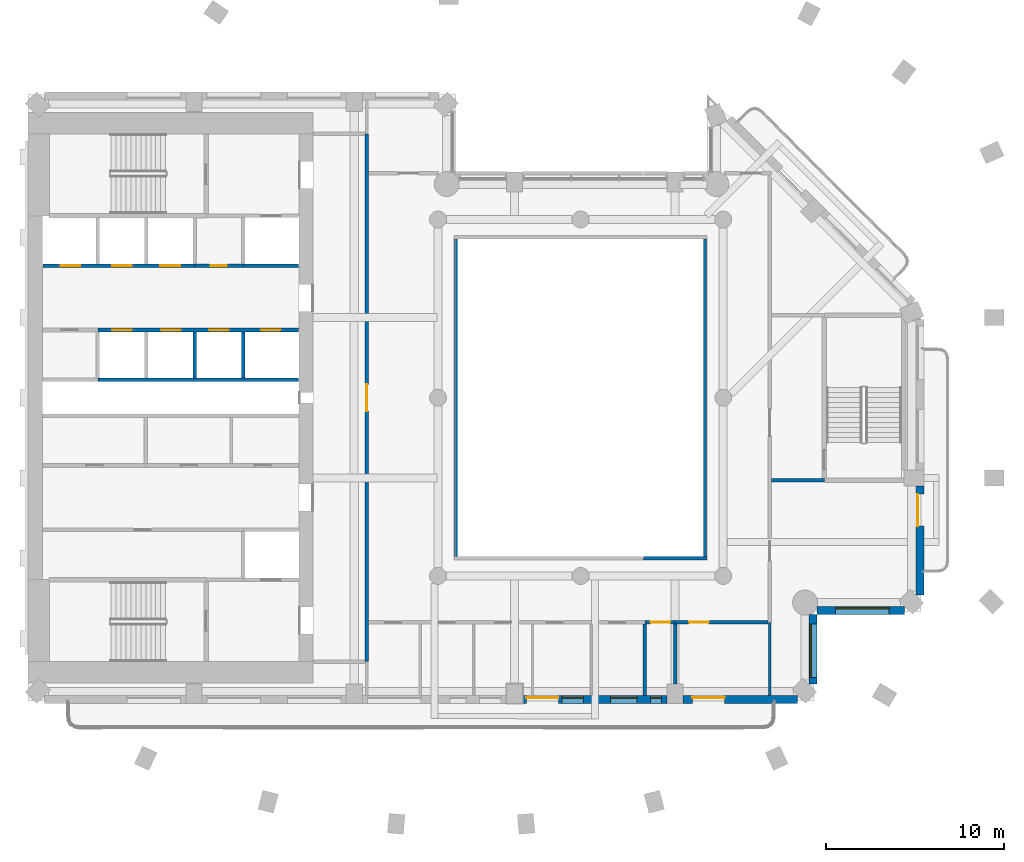
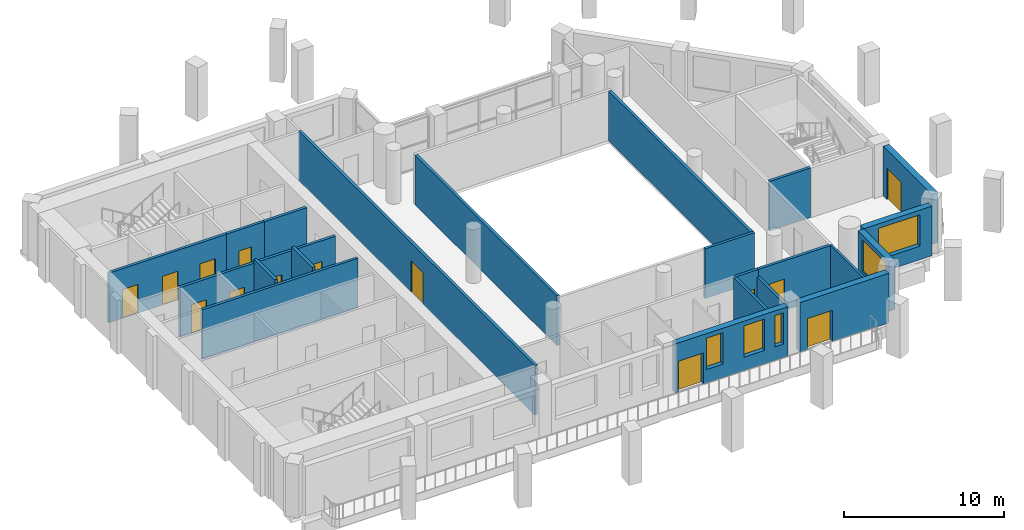
# One storey, part 5 of 14: 22 walls, 14 doors, 5 windows, 19 openings.
"""IFC4 building model written with IfcOpenShell, lengths in metres."""

from ifc_helpers import new_model, si_unit, direction, frame, frame_2d, origin, place, context, subcontext, project, spatial, rectangle, extrude, material, layer, layer_set, type_object, element, fill, save


model = new_model("IFC4")

# Units and contexts
model_context = context("Model", 3, precision=1e-05, world=origin(), true_north=direction((0.0, 1.0)))
body_context = subcontext(model_context, "Body", "Model", "MODEL_VIEW")
ifc_project = project(units=[si_unit("LENGTHUNIT", "METRE"), si_unit("AREAUNIT", "SQUARE_METRE"), si_unit("VOLUMEUNIT", "CUBIC_METRE"), si_unit("PLANEANGLEUNIT", "RADIAN"), si_unit("MASSUNIT", "GRAM", prefix="KILO")], contexts=[model_context])

# Site, building, storey
site_placement = place(None, origin())
site = spatial("IfcSite", under=ifc_project, at=site_placement, CompositionType="ELEMENT")
building_placement = place(site_placement, origin())
building = spatial("IfcBuilding", under=site, at=building_placement, Name="Cypress Arch Tower", CompositionType="ELEMENT")
storey_placement = place(building_placement, frame((0.0, 0.0, 201.5)))
storey = spatial("IfcBuildingStorey", under=building, at=storey_placement, Name="L44", CompositionType="ELEMENT", Elevation=201.5)

# Wall, openings, door, windows
ifc_material_1 = material(Name="Brick (red buff blend)", Category="masonry")
ifc_layer_1 = layer(ifc_material_1, 0.449951171875)
ifc_layer_set_1 = layer_set([ifc_layer_1], Name="Brick pier and spandrel wall BW450")
wall_type_1 = type_object("IfcWallType", Name="Brick pier and spandrel wall BW450", PredefinedType="SOLIDWALL", material=ifc_layer_set_1)
wall_1_placement = place(storey_placement, frame((-2.25, -16.925048828125, 0.0), z_axis=(0.0, 0.0, 1.0), x_axis=(1.0, 0.0, 0.0)))
wall_1 = element("IfcWall", 1, at=wall_1_placement, inside=storey, type_object=wall_type_1, Name="Brick wall L44 B01.3", PredefinedType="SOLIDWALL", context=body_context, shape_type="SweptSolid", body=[
    extrude(rectangle(XDim=8.10009765625, YDim=0.449951171875, at=frame_2d((4.050048828125, 0.0))), origin(), (0.0, 0.0, 1.0), 3.800048828125),
])
opening_1_placement = place(wall_1_placement, frame((0.199951171875, 0.0, 0.0)))
opening_1 = element("IfcOpeningElement", 2, at=opening_1_placement, cuts=wall_1, Name="Opening D-L44-B01.3.1", PredefinedType="OPENING", context=body_context, shape_type="SweptSolid", body=[
    extrude(rectangle(XDim=1.800048828125, YDim=2.39990234375, at=frame_2d((0.89990234375, 1.199951171875))), frame((0.0, 0.23486328125, 0.0), z_axis=(0.0, -1.0, 0.0), x_axis=(1.0, 0.0, 0.0)), (0.0, 0.0, 1.0), 0.469970703125),
])
opening_2_placement = place(wall_1_placement, frame((2.199951171875, 0.0, 1.050048828125)))
opening_2 = element("IfcOpeningElement", 3, at=opening_2_placement, cuts=wall_1, Name="Opening W120OD", PredefinedType="OPENING", context=body_context, shape_type="SweptSolid", body=[
    extrude(rectangle(XDim=1.199951171875, YDim=2.39990234375, at=frame_2d((0.60009765625, 1.199951171875))), frame((0.0, 0.23486328125, 0.0), z_axis=(0.0, -1.0, 0.0), x_axis=(1.0, 0.0, 0.0)), (0.0, 0.0, 1.0), 0.469970703125),
])
opening_3_placement = place(wall_1_placement, frame((4.925537109375, 0.0, 1.050048828125)))
opening_3 = element("IfcOpeningElement", 4, at=opening_3_placement, cuts=wall_1, Name="Opening W150OD", PredefinedType="OPENING", context=body_context, shape_type="SweptSolid", body=[
    extrude(rectangle(XDim=1.5, YDim=2.39990234375, at=frame_2d((0.75, 1.199951171875))), frame((0.0, 0.23486328125, 0.0), z_axis=(0.0, -1.0, 0.0), x_axis=(1.0, 0.0, 0.0)), (0.0, 0.0, 1.0), 0.469970703125),
])
opening_4_placement = place(wall_1_placement, frame((7.175537109375, 0.0, 1.050048828125)))
opening_4 = element("IfcOpeningElement", 5, at=opening_4_placement, cuts=wall_1, Name="Opening W060OD", PredefinedType="OPENING", context=body_context, shape_type="SweptSolid", body=[
    extrude(rectangle(XDim=0.60009765625, YDim=2.39990234375, at=frame_2d((0.300048828125, 1.199951171875))), frame((0.0, 0.23486328125, 0.0), z_axis=(0.0, -1.0, 0.0), x_axis=(1.0, 0.0, 0.0)), (0.0, 0.0, 1.0), 0.469970703125),
])
ifc_material_2 = material(Name="Anodised aluminium, bronze finish, laminated low-emissivity double glazing, large-missile impact rated", Category="aluminium")
door_type_1 = type_object("IfcDoorType", Name="Balcony sliding door 1800x2400", OperationType="SLIDING_TO_LEFT", PredefinedType="DOOR", material=ifc_material_2)
door_1_placement = place(opening_1_placement, origin())
door_1 = element("IfcDoor", 6, at=door_1_placement, inside=storey, type_object=door_type_1, Name="Balcony door L44 B01.3.1", OperationType="SLIDING_TO_LEFT", OverallHeight=2.39990234375, OverallWidth=1.800048828125, PredefinedType="DOOR", context=body_context, shape_type="SweptSolid", body=[
    extrude(rectangle(XDim=1.800048828125, YDim=2.39990234375, at=frame_2d((0.89990234375, 1.199951171875))), frame((0.0, 0.1298828125, 0.0), z_axis=(0.0, -1.0, 0.0), x_axis=(1.0, 0.0, 0.0)), (0.0, 0.0, 1.0), 0.050048828125),
])
fill(opening_1, door_1)
ifc_material_3 = material(Name="Anodised aluminium, bronze finish, laminated low-emissivity double glazing, large-missile impact rated", Category="aluminium")
window_type_1 = type_object("IfcWindowType", Name="Window Office 1200x2400 debris-rated", PartitioningType="SINGLE_PANEL", PredefinedType="WINDOW", material=ifc_material_3)
window_1_placement = place(opening_2_placement, origin())
window_1 = element("IfcWindow", 7, at=window_1_placement, inside=storey, type_object=window_type_1, Name="Window L44 B01.3.1", OverallHeight=2.39990234375, OverallWidth=1.199951171875, PartitioningType="SINGLE_PANEL", PredefinedType="WINDOW", context=body_context, shape_type="SweptSolid", body=[
    extrude(rectangle(XDim=1.199951171875, YDim=2.39990234375, at=frame_2d((0.60009765625, 1.199951171875))), frame((0.0, 0.135009765625, 0.0), z_axis=(0.0, -1.0, 0.0), x_axis=(1.0, 0.0, 0.0)), (0.0, 0.0, 1.0), 0.06005859375),
])
fill(opening_2, window_1)
ifc_material_4 = material(Name="Anodised aluminium, bronze finish, laminated low-emissivity double glazing, large-missile impact rated", Category="aluminium")
window_type_2 = type_object("IfcWindowType", Name="Window Office 1500x2400 debris-rated", PartitioningType="SINGLE_PANEL", PredefinedType="WINDOW", material=ifc_material_4)
window_2_placement = place(opening_3_placement, origin())
window_2 = element("IfcWindow", 8, at=window_2_placement, inside=storey, type_object=window_type_2, Name="Window L44 B01.3.2", OverallHeight=2.39990234375, OverallWidth=1.5, PartitioningType="SINGLE_PANEL", PredefinedType="WINDOW", context=body_context, shape_type="SweptSolid", body=[
    extrude(rectangle(XDim=1.5, YDim=2.39990234375, at=frame_2d((0.75, 1.199951171875))), frame((0.0, 0.135009765625, 0.0), z_axis=(0.0, -1.0, 0.0), x_axis=(1.0, 0.0, 0.0)), (0.0, 0.0, 1.0), 0.06005859375),
])
fill(opening_3, window_2)
ifc_material_5 = material(Name="Anodised aluminium, bronze finish, laminated low-emissivity double glazing, large-missile impact rated", Category="aluminium")
window_type_3 = type_object("IfcWindowType", Name="Window Office 600x2400 debris-rated", PartitioningType="SINGLE_PANEL", PredefinedType="WINDOW", material=ifc_material_5)
window_3_placement = place(opening_4_placement, origin())
window_3 = element("IfcWindow", 9, at=window_3_placement, inside=storey, type_object=window_type_3, Name="Window L44 B01.3.2b", OverallHeight=2.39990234375, OverallWidth=0.60009765625, PartitioningType="SINGLE_PANEL", PredefinedType="WINDOW", context=body_context, shape_type="SweptSolid", body=[
    extrude(rectangle(XDim=0.60009765625, YDim=2.39990234375, at=frame_2d((0.300048828125, 1.199951171875))), frame((0.0, 0.135009765625, 0.0), z_axis=(0.0, -1.0, 0.0), x_axis=(1.0, 0.0, 0.0)), (0.0, 0.0, 1.0), 0.06005859375),
])
fill(opening_4, window_3)

# Wall, opening, door
wall_2_placement = place(storey_placement, frame((6.75, -16.925048828125, 0.0), z_axis=(0.0, 0.0, 1.0), x_axis=(1.0, 0.0, 0.0)))
wall_2 = element("IfcWall", 10, at=wall_2_placement, inside=storey, type_object=wall_type_1, Name="Brick wall L44 B01.4", PredefinedType="SOLIDWALL", context=body_context, shape_type="SweptSolid", body=[
    extrude(rectangle(XDim=6.41357421875, YDim=0.449951171875, at=frame_2d((3.206787109375, 0.0))), origin(), (0.0, 0.0, 1.0), 3.800048828125),
])
opening_5_placement = place(wall_2_placement, frame((0.52490234375, 0.0, 0.0)))
opening_5 = element("IfcOpeningElement", 11, at=opening_5_placement, cuts=wall_2, Name="Opening D-L44-B01.4.1", PredefinedType="OPENING", context=body_context, shape_type="SweptSolid", body=[
    extrude(rectangle(XDim=1.800048828125, YDim=2.39990234375, at=frame_2d((0.89990234375, 1.199951171875))), frame((0.0, 0.23486328125, 0.0), z_axis=(0.0, -1.0, 0.0), x_axis=(1.0, 0.0, 0.0)), (0.0, 0.0, 1.0), 0.469970703125),
])
door_2_placement = place(opening_5_placement, origin())
door_2 = element("IfcDoor", 12, at=door_2_placement, inside=storey, type_object=door_type_1, Name="Balcony door L44 B01.4.1", OperationType="SLIDING_TO_LEFT", OverallHeight=2.39990234375, OverallWidth=1.800048828125, PredefinedType="DOOR", context=body_context, shape_type="SweptSolid", body=[
    extrude(rectangle(XDim=1.800048828125, YDim=2.39990234375, at=frame_2d((0.89990234375, 1.199951171875))), frame((0.0, 0.1298828125, 0.0), z_axis=(0.0, -1.0, 0.0), x_axis=(1.0, 0.0, 0.0)), (0.0, 0.0, 1.0), 0.050048828125),
])
fill(opening_5, door_2)

# Wall, opening, window
wall_3_placement = place(storey_placement, frame((14.02490234375, -16.063720703125, 0.0), z_axis=(0.0, 0.0, 1.0), x_axis=(0.0, 1.0, 0.0)))
wall_3 = element("IfcWall", 13, at=wall_3_placement, inside=storey, type_object=wall_type_1, Name="Brick wall L44 B02.0", PredefinedType="SOLIDWALL", context=body_context, shape_type="SweptSolid", body=[
    extrude(rectangle(XDim=3.9091796875, YDim=0.449951171875, at=frame_2d((1.95458984375, 0.0))), origin(), (0.0, 0.0, 1.0), 3.800048828125),
])
opening_6_placement = place(wall_3_placement, frame((0.363525390625, 0.0, 1.050048828125)))
opening_6 = element("IfcOpeningElement", 14, at=opening_6_placement, cuts=wall_3, Name="Opening W300O", PredefinedType="OPENING", context=body_context, shape_type="SweptSolid", body=[
    extrude(rectangle(XDim=3.0, YDim=2.39990234375, at=frame_2d((1.5, 1.199951171875))), frame((0.0, 0.23486328125, 0.0), z_axis=(0.0, -1.0, 0.0), x_axis=(1.0, 0.0, 0.0)), (0.0, 0.0, 1.0), 0.469970703125),
])
ifc_material_6 = material(Name="Anodised aluminium, bronze finish, clear low-emissivity double glazing", Category="aluminium")
window_type_4 = type_object("IfcWindowType", Name="Window Office 3000x2400", PartitioningType="SINGLE_PANEL", PredefinedType="WINDOW", material=ifc_material_6)
window_4_placement = place(opening_6_placement, origin())
window_4 = element("IfcWindow", 15, at=window_4_placement, inside=storey, type_object=window_type_4, Name="Window L44 B02.0.1", OverallHeight=2.39990234375, OverallWidth=3.0, PartitioningType="SINGLE_PANEL", PredefinedType="WINDOW", context=body_context, shape_type="SweptSolid", body=[
    extrude(rectangle(XDim=3.0, YDim=2.39990234375, at=frame_2d((1.5, 1.199951171875))), frame((0.0, 0.135009765625, 0.0), z_axis=(0.0, -1.0, 0.0), x_axis=(1.0, 0.0, 0.0)), (0.0, 0.0, 1.0), 0.06005859375),
])
fill(opening_6, window_4)

wall_4_placement = place(storey_placement, frame((14.254638671875, -11.925048828125, 0.0), z_axis=(0.0, 0.0, 1.0), x_axis=(1.0, 0.0, 0.0)))
wall_4 = element("IfcWall", 16, at=wall_4_placement, inside=storey, type_object=wall_type_1, Name="Brick wall L44 B03.0", PredefinedType="SOLIDWALL", context=body_context, shape_type="SweptSolid", body=[
    extrude(rectangle(XDim=4.908935546875, YDim=0.449951171875, at=frame_2d((2.45458984375, 0.0))), origin(), (0.0, 0.0, 1.0), 3.800048828125),
])
opening_7_placement = place(wall_4_placement, frame((1.04541015625, 0.0, 1.050048828125)))
opening_7 = element("IfcOpeningElement", 17, at=opening_7_placement, cuts=wall_4, Name="Opening W300O", PredefinedType="OPENING", context=body_context, shape_type="SweptSolid", body=[
    extrude(rectangle(XDim=3.0, YDim=2.39990234375, at=frame_2d((1.5, 1.199951171875))), frame((0.0, 0.23486328125, 0.0), z_axis=(0.0, -1.0, 0.0), x_axis=(1.0, 0.0, 0.0)), (0.0, 0.0, 1.0), 0.469970703125),
])
window_5_placement = place(opening_7_placement, origin())
window_5 = element("IfcWindow", 18, at=window_5_placement, inside=storey, type_object=window_type_4, Name="Window L44 B03.0.1", OverallHeight=2.39990234375, OverallWidth=3.0, PartitioningType="SINGLE_PANEL", PredefinedType="WINDOW", context=body_context, shape_type="SweptSolid", body=[
    extrude(rectangle(XDim=3.0, YDim=2.39990234375, at=frame_2d((1.5, 1.199951171875))), frame((0.0, 0.135009765625, 0.0), z_axis=(0.0, -1.0, 0.0), x_axis=(1.0, 0.0, 0.0)), (0.0, 0.0, 1.0), 0.06005859375),
])
fill(opening_7, window_5)

# Wall, opening, door
wall_5_placement = place(storey_placement, frame((20.02490234375, -11.063720703125, 0.0), z_axis=(0.0, 0.0, 1.0), x_axis=(0.0, 1.0, 0.0)))
wall_5 = element("IfcWall", 19, at=wall_5_placement, inside=storey, type_object=wall_type_1, Name="Brick wall L44 B04.0", PredefinedType="SOLIDWALL", context=body_context, shape_type="SweptSolid", body=[
    extrude(rectangle(XDim=6.11376953125, YDim=0.449951171875, at=frame_2d((3.056884765625, 0.0))), origin(), (0.0, 0.0, 1.0), 3.800048828125),
])
opening_8_placement = place(wall_5_placement, frame((3.863525390625, 0.0, 0.0)))
opening_8 = element("IfcOpeningElement", 20, at=opening_8_placement, cuts=wall_5, Name="Opening D-L44-B04.0.2", PredefinedType="OPENING", context=body_context, shape_type="SweptSolid", body=[
    extrude(rectangle(XDim=1.800048828125, YDim=2.39990234375, at=frame_2d((0.89990234375, 1.199951171875))), frame((0.0, 0.23486328125, 0.0), z_axis=(0.0, -1.0, 0.0), x_axis=(1.0, 0.0, 0.0)), (0.0, 0.0, 1.0), 0.469970703125),
])
door_3_placement = place(opening_8_placement, origin())
door_3 = element("IfcDoor", 21, at=door_3_placement, inside=storey, type_object=door_type_1, Name="Balcony door L44 B04.0.2", OperationType="SLIDING_TO_LEFT", OverallHeight=2.39990234375, OverallWidth=1.800048828125, PredefinedType="DOOR", context=body_context, shape_type="SweptSolid", body=[
    extrude(rectangle(XDim=1.800048828125, YDim=2.39990234375, at=frame_2d((0.89990234375, 1.199951171875))), frame((0.0, 0.1298828125, 0.0), z_axis=(0.0, -1.0, 0.0), x_axis=(1.0, 0.0, 0.0)), (0.0, 0.0, 1.0), 0.050048828125),
])
fill(opening_8, door_3)

ifc_material_7 = material(Name="Concrete blockwork, plastered, rated", Category="masonry")
ifc_layer_2 = layer(ifc_material_7, 0.199951171875)
ifc_layer_set_2 = layer_set([ifc_layer_2], Name="Corridor wall FW200")
wall_type_2 = type_object("IfcWallType", Name="Corridor wall FW200", PredefinedType="PARTITIONING", material=ifc_layer_set_2)
wall_6_placement = place(storey_placement, frame((-20.639892578125, 7.39990234375, 0.0), z_axis=(0.0, 0.0, 1.0), x_axis=(1.0, 0.0, 0.0)))
wall_6 = element("IfcWall", 22, at=wall_6_placement, inside=storey, type_object=wall_type_2, Name="Corridor wall", PredefinedType="PARTITIONING", context=body_context, shape_type="SweptSolid", body=[
    extrude(rectangle(XDim=2.719970703125, YDim=0.199951171875, at=frame_2d((1.35986328125, 0.0))), origin(), (0.0, 0.0, 1.0), 3.800048828125),
])
opening_9_placement = place(wall_6_placement, frame((0.89990234375, 0.0, 0.0)))
opening_9 = element("IfcOpeningElement", 23, at=opening_9_placement, cuts=wall_6, Name="Opening D05", PredefinedType="OPENING", context=body_context, shape_type="SweptSolid", body=[
    extrude(rectangle(XDim=0.89990234375, YDim=2.199951171875, at=frame_2d((0.449951171875, 1.10009765625))), frame((0.0, 0.10986328125, 0.0), z_axis=(0.0, -1.0, 0.0), x_axis=(1.0, 0.0, 0.0)), (0.0, 0.0, 1.0), 0.219970703125),
])
ifc_material_8 = material(Name="Timber flush door", Category="wood")
door_type_2 = type_object("IfcDoorType", Name="Service door D05 900x2200", OperationType="SINGLE_SWING_LEFT", PredefinedType="DOOR", material=ifc_material_8)
door_4_placement = place(opening_9_placement, origin())
door_4 = element("IfcDoor", 24, at=door_4_placement, inside=storey, type_object=door_type_2, Name="Service door", OperationType="SINGLE_SWING_LEFT", OverallHeight=2.199951171875, OverallWidth=0.89990234375, PredefinedType="DOOR", context=body_context, shape_type="SweptSolid", body=[
    extrude(rectangle(XDim=0.89990234375, YDim=2.199951171875, at=frame_2d((0.449951171875, 1.10009765625))), frame((0.0, 0.02490234375, 0.0), z_axis=(0.0, -1.0, 0.0), x_axis=(1.0, 0.0, 0.0)), (0.0, 0.0, 1.0), 0.050048828125),
])
fill(opening_9, door_4)

wall_7_placement = place(storey_placement, frame((-11.0, -14.800048828125, 0.0), z_axis=(0.0, 0.0, 1.0), x_axis=(0.0, 1.0, 0.0)))
wall_7 = element("IfcWall", 25, at=wall_7_placement, inside=storey, type_object=wall_type_2, Name="Corridor wall", PredefinedType="PARTITIONING", context=body_context, shape_type="SweptSolid", body=[
    extrude(rectangle(XDim=29.60009765625, YDim=0.199951171875, at=frame_2d((14.800048828125, 0.0))), origin(), (0.0, 0.0, 1.0), 3.800048828125),
])
opening_10_placement = place(wall_7_placement, frame((14.050048828125, 0.0, 0.0)))
opening_10 = element("IfcOpeningElement", 26, at=opening_10_placement, cuts=wall_7, Name="Opening D07", PredefinedType="OPENING", context=body_context, shape_type="SweptSolid", body=[
    extrude(rectangle(XDim=1.5, YDim=2.39990234375, at=frame_2d((0.75, 1.199951171875))), frame((0.0, 0.10986328125, 0.0), z_axis=(0.0, -1.0, 0.0), x_axis=(1.0, 0.0, 0.0)), (0.0, 0.0, 1.0), 0.219970703125),
])
ifc_material_9 = material(Name="Steel framed glazed door, fire resisting", Category="steel")
door_type_3 = type_object("IfcDoorType", Name="Lobby door D07 1500x2400", OperationType="DOUBLE_DOOR_SINGLE_SWING", PredefinedType="DOOR", material=ifc_material_9)
door_5_placement = place(opening_10_placement, origin())
door_5 = element("IfcDoor", 27, at=door_5_placement, inside=storey, type_object=door_type_3, Name="Lobby door", OperationType="DOUBLE_DOOR_SINGLE_SWING", OverallHeight=2.39990234375, OverallWidth=1.5, PredefinedType="DOOR", context=body_context, shape_type="SweptSolid", body=[
    extrude(rectangle(XDim=1.5, YDim=2.39990234375, at=frame_2d((0.75, 1.199951171875))), frame((0.0, 0.02490234375, 0.0), z_axis=(0.0, -1.0, 0.0), x_axis=(1.0, 0.0, 0.0)), (0.0, 0.0, 1.0), 0.050048828125),
])
fill(opening_10, door_5)

# Walls
wall_8_placement = place(storey_placement, frame((-6.0, -8.89990234375, 0.0), z_axis=(0.0, 0.0, 1.0), x_axis=(0.0, 1.0, 0.0)))
element("IfcWall", 28, at=wall_8_placement, inside=storey, type_object=wall_type_2, Name="Corridor wall", PredefinedType="PARTITIONING", context=body_context, shape_type="SweptSolid", body=[
    extrude(rectangle(XDim=17.7998046875, YDim=0.199951171875, at=frame_2d((8.89990234375, 0.0))), origin(), (0.0, 0.0, 1.0), 3.800048828125),
])
wall_9_placement = place(storey_placement, frame((4.52001953125, -9.0, 0.0), z_axis=(0.0, 0.0, 1.0), x_axis=(1.0, 0.0, 0.0)))
element("IfcWall", 29, at=wall_9_placement, inside=storey, type_object=wall_type_2, Name="Corridor wall", PredefinedType="PARTITIONING", context=body_context, shape_type="SweptSolid", body=[
    extrude(rectangle(XDim=3.580078125, YDim=0.199951171875, at=frame_2d((1.7900390625, 0.0))), origin(), (0.0, 0.0, 1.0), 3.800048828125),
])

# Wall, opening, door
wall_10_placement = place(storey_placement, frame((6.280029296875, -12.60009765625, 0.0), z_axis=(0.0, 0.0, 1.0), x_axis=(1.0, 0.0, 0.0)))
wall_10 = element("IfcWall", 30, at=wall_10_placement, inside=storey, type_object=wall_type_2, Name="Corridor wall", PredefinedType="PARTITIONING", context=body_context, shape_type="SweptSolid", body=[
    extrude(rectangle(XDim=5.219970703125, YDim=0.199951171875, at=frame_2d((2.60986328125, 0.0))), origin(), (0.0, 0.0, 1.0), 3.800048828125),
])
opening_11_placement = place(wall_10_placement, frame((0.800048828125, 0.0, 0.0)))
opening_11 = element("IfcOpeningElement", 31, at=opening_11_placement, cuts=wall_10, Name="Opening D01", PredefinedType="OPENING", context=body_context, shape_type="SweptSolid", body=[
    extrude(rectangle(XDim=1.10009765625, YDim=2.39990234375, at=frame_2d((0.550048828125, 1.199951171875))), frame((0.0, 0.10986328125, 0.0), z_axis=(0.0, -1.0, 0.0), x_axis=(1.0, 0.0, 0.0)), (0.0, 0.0, 1.0), 0.219970703125),
])
ifc_material_10 = material(Name="Timber flush door, fire resisting, self-closing", Category="wood")
door_type_4 = type_object("IfcDoorType", Name="Unit entrance door D01 1100x2400", OperationType="SINGLE_SWING_LEFT", PredefinedType="DOOR", material=ifc_material_10)
door_6_placement = place(opening_11_placement, origin())
door_6 = element("IfcDoor", 32, at=door_6_placement, inside=storey, type_object=door_type_4, Name="Unit entrance door", OperationType="SINGLE_SWING_RIGHT", OverallHeight=2.39990234375, OverallWidth=1.10009765625, PredefinedType="DOOR", context=body_context, shape_type="SweptSolid", body=[
    extrude(rectangle(XDim=1.10009765625, YDim=2.39990234375, at=frame_2d((0.550048828125, 1.199951171875))), frame((0.0, 0.02490234375, 0.0), z_axis=(0.0, -1.0, 0.0), x_axis=(1.0, 0.0, 0.0)), (0.0, 0.0, 1.0), 0.050048828125),
])
fill(opening_11, door_6)

# Walls
wall_11_placement = place(storey_placement, frame((8.0, -8.89990234375, 0.0), z_axis=(0.0, 0.0, 1.0), x_axis=(0.0, 1.0, 0.0)))
element("IfcWall", 33, at=wall_11_placement, inside=storey, type_object=wall_type_2, Name="Corridor wall", PredefinedType="PARTITIONING", context=body_context, shape_type="SweptSolid", body=[
    extrude(rectangle(XDim=17.7998046875, YDim=0.199951171875, at=frame_2d((8.89990234375, 0.0))), origin(), (0.0, 0.0, 1.0), 3.800048828125),
])
wall_12_placement = place(storey_placement, frame((11.699951171875, -4.625, 0.0), z_axis=(0.0, 0.0, 1.0), x_axis=(1.0, 0.0, 0.0)))
element("IfcWall", 34, at=wall_12_placement, inside=storey, type_object=wall_type_2, Name="Corridor wall", PredefinedType="PARTITIONING", context=body_context, shape_type="SweptSolid", body=[
    extrude(rectangle(XDim=2.97509765625, YDim=0.199951171875, at=frame_2d((1.487548828125, 0.0))), origin(), (0.0, 0.0, 1.0), 3.800048828125),
])
ifc_material_11 = material(Name="Blockwork, plastered both sides", Category="masonry")
ifc_layer_3 = layer(ifc_material_11, 0.14990234375)
ifc_layer_set_3 = layer_set([ifc_layer_3], Name="Partition PW150")
wall_type_3 = type_object("IfcWallType", Name="Partition PW150", PredefinedType="PARTITIONING", material=ifc_layer_set_3)
wall_13_placement = place(storey_placement, frame((11.60009765625, -16.699951171875, 0.0), z_axis=(0.0, 0.0, 1.0), x_axis=(0.0, 1.0, 0.0)))
element("IfcWall", 35, at=wall_13_placement, inside=storey, type_object=wall_type_3, Name="Partition", PredefinedType="PARTITIONING", context=body_context, shape_type="SweptSolid", body=[
    extrude(rectangle(XDim=4.099853515625, YDim=0.14990234375, at=frame_2d((2.0498046875, 0.0))), origin(), (0.0, 0.0, 1.0), 3.800048828125),
])

# Wall, opening, door
ifc_material_12 = material(Name="Reinforced blockwork, plastered, rated", Category="masonry")
ifc_layer_4 = layer(ifc_material_12, 0.199951171875)
ifc_layer_set_4 = layer_set([ifc_layer_4], Name="Plant and riser wall PL200")
wall_type_4 = type_object("IfcWallType", Name="Plant and riser wall PL200", PredefinedType="PARTITIONING", material=ifc_layer_set_4)
wall_14_placement = place(storey_placement, frame((4.62109375, -12.60009765625, 0.0), z_axis=(0.0, 0.0, 1.0), x_axis=(1.0, 0.0, 0.0)))
wall_14 = element("IfcWall", 36, at=wall_14_placement, inside=storey, type_object=wall_type_4, Name="Plant and riser wall", PredefinedType="PARTITIONING", context=body_context, shape_type="SweptSolid", body=[
    extrude(rectangle(XDim=1.658935546875, YDim=0.199951171875, at=frame_2d((0.82958984375, 0.0))), origin(), (0.0, 0.0, 1.0), 3.800048828125),
])
opening_12_placement = place(wall_14_placement, frame((0.300048828125, 0.0, 0.0)))
opening_12 = element("IfcOpeningElement", 37, at=opening_12_placement, cuts=wall_14, Name="Opening D01", PredefinedType="OPENING", context=body_context, shape_type="SweptSolid", body=[
    extrude(rectangle(XDim=1.10009765625, YDim=2.39990234375, at=frame_2d((0.550048828125, 1.199951171875))), frame((0.0, 0.10986328125, 0.0), z_axis=(0.0, -1.0, 0.0), x_axis=(1.0, 0.0, 0.0)), (0.0, 0.0, 1.0), 0.219970703125),
])
door_7_placement = place(opening_12_placement, origin())
door_7 = element("IfcDoor", 38, at=door_7_placement, inside=storey, type_object=door_type_4, Name="Unit entrance door", OperationType="SINGLE_SWING_LEFT", OverallHeight=2.39990234375, OverallWidth=1.10009765625, PredefinedType="DOOR", context=body_context, shape_type="SweptSolid", body=[
    extrude(rectangle(XDim=1.10009765625, YDim=2.39990234375, at=frame_2d((0.550048828125, 1.199951171875))), frame((0.0, 0.02490234375, 0.0), z_axis=(0.0, -1.0, 0.0), x_axis=(1.0, 0.0, 0.0)), (0.0, 0.0, 1.0), 0.050048828125),
])
fill(opening_12, door_7)

# Walls
wall_15_placement = place(storey_placement, frame((4.60107421875, -16.699951171875, 0.0), z_axis=(0.0, 0.0, 1.0), x_axis=(0.0, 1.0, 0.0)))
element("IfcWall", 39, at=wall_15_placement, inside=storey, type_object=wall_type_4, Name="Plant and riser wall", PredefinedType="PARTITIONING", context=body_context, shape_type="SweptSolid", body=[
    extrude(rectangle(XDim=4.0, YDim=0.199951171875, at=frame_2d((2.0, 0.0))), origin(), (0.0, 0.0, 1.0), 3.800048828125),
])
wall_16_placement = place(storey_placement, frame((6.300048828125, -16.050048828125, 0.0), z_axis=(0.0, 0.0, 1.0), x_axis=(0.0, 1.0, 0.0)))
element("IfcWall", 40, at=wall_16_placement, inside=storey, type_object=wall_type_4, Name="Plant and riser wall", PredefinedType="PARTITIONING", context=body_context, shape_type="SweptSolid", body=[
    extrude(rectangle(XDim=3.35009765625, YDim=0.199951171875, at=frame_2d((1.675048828125, 0.0))), origin(), (0.0, 0.0, 1.0), 3.25),
])

# Wall, openings, doors
ifc_material_13 = material(Name="Concrete C50/60", Category="concrete")
ifc_layer_5 = layer(ifc_material_13, 0.199951171875)
ifc_layer_set_5 = layer_set([ifc_layer_5], Name="Shaft wall SH200")
wall_type_5 = type_object("IfcWallType", Name="Shaft wall SH200", PredefinedType="SHEAR", material=ifc_layer_set_5)
wall_17_placement = place(storey_placement, frame((-29.169921875, 7.39990234375, 0.0), z_axis=(0.0, 0.0, 1.0), x_axis=(1.0, 0.0, 0.0)))
wall_17 = element("IfcWall", 41, at=wall_17_placement, inside=storey, type_object=wall_type_5, Name="Shaft wall", PredefinedType="SHEAR", context=body_context, shape_type="SweptSolid", body=[
    extrude(rectangle(XDim=8.530029296875, YDim=0.199951171875, at=frame_2d((4.26513671875, 0.0))), origin(), (0.0, 0.0, 1.0), 3.800048828125),
])
opening_13_placement = place(wall_17_placement, frame((1.0, 0.0, 0.0)))
opening_13 = element("IfcOpeningElement", 42, at=opening_13_placement, cuts=wall_17, Name="Opening LD-HR5", PredefinedType="OPENING", context=body_context, shape_type="SweptSolid", body=[
    extrude(rectangle(XDim=1.10009765625, YDim=2.199951171875, at=frame_2d((0.550048828125, 1.10009765625))), frame((0.0, 0.10986328125, 0.0), z_axis=(0.0, -1.0, 0.0), x_axis=(1.0, 0.0, 0.0)), (0.0, 0.0, 1.0), 0.219970703125),
])
opening_14_placement = place(wall_17_placement, frame((3.89990234375, 0.0, 0.0)))
opening_14 = element("IfcOpeningElement", 43, at=opening_14_placement, cuts=wall_17, Name="Opening LD-HR6", PredefinedType="OPENING", context=body_context, shape_type="SweptSolid", body=[
    extrude(rectangle(XDim=1.10009765625, YDim=2.199951171875, at=frame_2d((0.550048828125, 1.10009765625))), frame((0.0, 0.10986328125, 0.0), z_axis=(0.0, -1.0, 0.0), x_axis=(1.0, 0.0, 0.0)), (0.0, 0.0, 1.0), 0.219970703125),
])
opening_15_placement = place(wall_17_placement, frame((6.60009765625, 0.0, 0.0)))
opening_15 = element("IfcOpeningElement", 44, at=opening_15_placement, cuts=wall_17, Name="Opening LD-HR7", PredefinedType="OPENING", context=body_context, shape_type="SweptSolid", body=[
    extrude(rectangle(XDim=1.10009765625, YDim=2.199951171875, at=frame_2d((0.550048828125, 1.10009765625))), frame((0.0, 0.10986328125, 0.0), z_axis=(0.0, -1.0, 0.0), x_axis=(1.0, 0.0, 0.0)), (0.0, 0.0, 1.0), 0.219970703125),
])
ifc_material_14 = material(Name="Stainless steel centre-opening landing door, rated", Category="steel")
door_type_5 = type_object("IfcDoorType", Name="Lift landing door LD 1100x2200", OperationType="DOUBLE_DOOR_SLIDING", PredefinedType="DOOR", material=ifc_material_14)
door_8_placement = place(opening_13_placement, origin())
door_8 = element("IfcDoor", 45, at=door_8_placement, inside=storey, type_object=door_type_5, Name="Lift landing doors HR5", OperationType="DOUBLE_DOOR_SLIDING", OverallHeight=2.199951171875, OverallWidth=1.10009765625, PredefinedType="DOOR", context=body_context, shape_type="SweptSolid", body=[
    extrude(rectangle(XDim=1.10009765625, YDim=2.199951171875, at=frame_2d((0.550048828125, 1.10009765625))), frame((0.0, 0.02490234375, 0.0), z_axis=(0.0, -1.0, 0.0), x_axis=(1.0, 0.0, 0.0)), (0.0, 0.0, 1.0), 0.050048828125),
])
fill(opening_13, door_8)
door_9_placement = place(opening_14_placement, origin())
door_9 = element("IfcDoor", 46, at=door_9_placement, inside=storey, type_object=door_type_5, Name="Lift landing doors HR6", OperationType="DOUBLE_DOOR_SLIDING", OverallHeight=2.199951171875, OverallWidth=1.10009765625, PredefinedType="DOOR", context=body_context, shape_type="SweptSolid", body=[
    extrude(rectangle(XDim=1.10009765625, YDim=2.199951171875, at=frame_2d((0.550048828125, 1.10009765625))), frame((0.0, 0.02490234375, 0.0), z_axis=(0.0, -1.0, 0.0), x_axis=(1.0, 0.0, 0.0)), (0.0, 0.0, 1.0), 0.050048828125),
])
fill(opening_14, door_9)
door_10_placement = place(opening_15_placement, origin())
door_10 = element("IfcDoor", 47, at=door_10_placement, inside=storey, type_object=door_type_5, Name="Lift landing doors HR7", OperationType="DOUBLE_DOOR_SLIDING", OverallHeight=2.199951171875, OverallWidth=1.10009765625, PredefinedType="DOOR", context=body_context, shape_type="SweptSolid", body=[
    extrude(rectangle(XDim=1.10009765625, YDim=2.199951171875, at=frame_2d((0.550048828125, 1.10009765625))), frame((0.0, 0.02490234375, 0.0), z_axis=(0.0, -1.0, 0.0), x_axis=(1.0, 0.0, 0.0)), (0.0, 0.0, 1.0), 0.050048828125),
])
fill(opening_15, door_10)

# Wall
wall_18_placement = place(storey_placement, frame((-26.080078125, 1.0, 0.0), z_axis=(0.0, 0.0, 1.0), x_axis=(1.0, 0.0, 0.0)))
element("IfcWall", 48, at=wall_18_placement, inside=storey, type_object=wall_type_5, Name="Shaft wall", PredefinedType="SHEAR", context=body_context, shape_type="SweptSolid", body=[
    extrude(rectangle(XDim=11.25, YDim=0.199951171875, at=frame_2d((5.625, 0.0))), origin(), (0.0, 0.0, 1.0), 3.800048828125),
])

# Wall, openings, doors
wall_19_placement = place(storey_placement, frame((-26.080078125, 3.800048828125, 0.0), z_axis=(0.0, 0.0, 1.0), x_axis=(1.0, 0.0, 0.0)))
wall_19 = element("IfcWall", 49, at=wall_19_placement, inside=storey, type_object=wall_type_5, Name="Shaft wall", PredefinedType="SHEAR", context=body_context, shape_type="SweptSolid", body=[
    extrude(rectangle(XDim=11.25, YDim=0.199951171875, at=frame_2d((5.625, 0.0))), origin(), (0.0, 0.0, 1.0), 3.800048828125),
])
opening_16_placement = place(wall_19_placement, frame((0.800048828125, 0.0, 0.0)))
opening_16 = element("IfcOpeningElement", 50, at=opening_16_placement, cuts=wall_19, Name="Opening LD-HR1", PredefinedType="OPENING", context=body_context, shape_type="SweptSolid", body=[
    extrude(rectangle(XDim=1.10009765625, YDim=2.199951171875, at=frame_2d((0.550048828125, 1.10009765625))), frame((0.0, 0.10986328125, 0.0), z_axis=(0.0, -1.0, 0.0), x_axis=(1.0, 0.0, 0.0)), (0.0, 0.0, 1.0), 0.219970703125),
])
opening_17_placement = place(wall_19_placement, frame((3.550048828125, 0.0, 0.0)))
opening_17 = element("IfcOpeningElement", 51, at=opening_17_placement, cuts=wall_19, Name="Opening LD-HR2", PredefinedType="OPENING", context=body_context, shape_type="SweptSolid", body=[
    extrude(rectangle(XDim=1.10009765625, YDim=2.199951171875, at=frame_2d((0.550048828125, 1.10009765625))), frame((0.0, 0.10986328125, 0.0), z_axis=(0.0, -1.0, 0.0), x_axis=(1.0, 0.0, 0.0)), (0.0, 0.0, 1.0), 0.219970703125),
])
opening_18_placement = place(wall_19_placement, frame((6.25, 0.0, 0.0)))
opening_18 = element("IfcOpeningElement", 52, at=opening_18_placement, cuts=wall_19, Name="Opening LD-HR3", PredefinedType="OPENING", context=body_context, shape_type="SweptSolid", body=[
    extrude(rectangle(XDim=1.10009765625, YDim=2.199951171875, at=frame_2d((0.550048828125, 1.10009765625))), frame((0.0, 0.10986328125, 0.0), z_axis=(0.0, -1.0, 0.0), x_axis=(1.0, 0.0, 0.0)), (0.0, 0.0, 1.0), 0.219970703125),
])
opening_19_placement = place(wall_19_placement, frame((9.14990234375, 0.0, 0.0)))
opening_19 = element("IfcOpeningElement", 53, at=opening_19_placement, cuts=wall_19, Name="Opening LD-HR4", PredefinedType="OPENING", context=body_context, shape_type="SweptSolid", body=[
    extrude(rectangle(XDim=1.10009765625, YDim=2.199951171875, at=frame_2d((0.550048828125, 1.10009765625))), frame((0.0, 0.10986328125, 0.0), z_axis=(0.0, -1.0, 0.0), x_axis=(1.0, 0.0, 0.0)), (0.0, 0.0, 1.0), 0.219970703125),
])
door_11_placement = place(opening_16_placement, origin())
door_11 = element("IfcDoor", 54, at=door_11_placement, inside=storey, type_object=door_type_5, Name="Lift landing doors HR1", OperationType="DOUBLE_DOOR_SLIDING", OverallHeight=2.199951171875, OverallWidth=1.10009765625, PredefinedType="DOOR", context=body_context, shape_type="SweptSolid", body=[
    extrude(rectangle(XDim=1.10009765625, YDim=2.199951171875, at=frame_2d((0.550048828125, 1.10009765625))), frame((0.0, 0.02490234375, 0.0), z_axis=(0.0, -1.0, 0.0), x_axis=(1.0, 0.0, 0.0)), (0.0, 0.0, 1.0), 0.050048828125),
])
fill(opening_16, door_11)
door_12_placement = place(opening_17_placement, origin())
door_12 = element("IfcDoor", 55, at=door_12_placement, inside=storey, type_object=door_type_5, Name="Lift landing doors HR2", OperationType="DOUBLE_DOOR_SLIDING", OverallHeight=2.199951171875, OverallWidth=1.10009765625, PredefinedType="DOOR", context=body_context, shape_type="SweptSolid", body=[
    extrude(rectangle(XDim=1.10009765625, YDim=2.199951171875, at=frame_2d((0.550048828125, 1.10009765625))), frame((0.0, 0.02490234375, 0.0), z_axis=(0.0, -1.0, 0.0), x_axis=(1.0, 0.0, 0.0)), (0.0, 0.0, 1.0), 0.050048828125),
])
fill(opening_17, door_12)
door_13_placement = place(opening_18_placement, origin())
door_13 = element("IfcDoor", 56, at=door_13_placement, inside=storey, type_object=door_type_5, Name="Lift landing doors HR3", OperationType="DOUBLE_DOOR_SLIDING", OverallHeight=2.199951171875, OverallWidth=1.10009765625, PredefinedType="DOOR", context=body_context, shape_type="SweptSolid", body=[
    extrude(rectangle(XDim=1.10009765625, YDim=2.199951171875, at=frame_2d((0.550048828125, 1.10009765625))), frame((0.0, 0.02490234375, 0.0), z_axis=(0.0, -1.0, 0.0), x_axis=(1.0, 0.0, 0.0)), (0.0, 0.0, 1.0), 0.050048828125),
])
fill(opening_18, door_13)
door_14_placement = place(opening_19_placement, origin())
door_14 = element("IfcDoor", 57, at=door_14_placement, inside=storey, type_object=door_type_5, Name="Lift landing doors HR4", OperationType="DOUBLE_DOOR_SLIDING", OverallHeight=2.199951171875, OverallWidth=1.10009765625, PredefinedType="DOOR", context=body_context, shape_type="SweptSolid", body=[
    extrude(rectangle(XDim=1.10009765625, YDim=2.199951171875, at=frame_2d((0.550048828125, 1.10009765625))), frame((0.0, 0.02490234375, 0.0), z_axis=(0.0, -1.0, 0.0), x_axis=(1.0, 0.0, 0.0)), (0.0, 0.0, 1.0), 0.050048828125),
])
fill(opening_19, door_14)

# Walls
for number, where, z_axis, x_axis, name in (
    (58, (-20.639892578125, 1.10009765625, 0.0), (0.0, 0.0, 1.0), (0.0, 1.0, 0.0), "Shaft wall"),
    (59, (-17.919921875, 1.10009765625, 0.0), (0.0, 0.0, 1.0), (0.0, 1.0, 0.0), "Shaft wall"),
):
    element("IfcWall", number, at=place(storey_placement, frame(where, z_axis=z_axis, x_axis=x_axis)), inside=storey, type_object=wall_type_5, Name=name, PredefinedType="SHEAR", context=body_context, shape_type="SweptSolid", body=[
        extrude(rectangle(XDim=2.599853515625, YDim=0.199951171875, at=frame_2d((1.2998046875, 0.0))), origin(), (0.0, 0.0, 1.0), 4.10009765625),
    ])
wall_20_placement = place(storey_placement, frame((-17.919921875, 7.39990234375, 0.0), z_axis=(0.0, 0.0, 1.0), x_axis=(1.0, 0.0, 0.0)))
element("IfcWall", 60, at=wall_20_placement, inside=storey, type_object=wall_type_5, Name="Shaft wall", PredefinedType="SHEAR", context=body_context, shape_type="SweptSolid", body=[
    extrude(rectangle(XDim=3.08984375, YDim=0.199951171875, at=frame_2d((1.544921875, 0.0))), origin(), (0.0, 0.0, 1.0), 3.800048828125),
])

save(model, "model.ifc")
